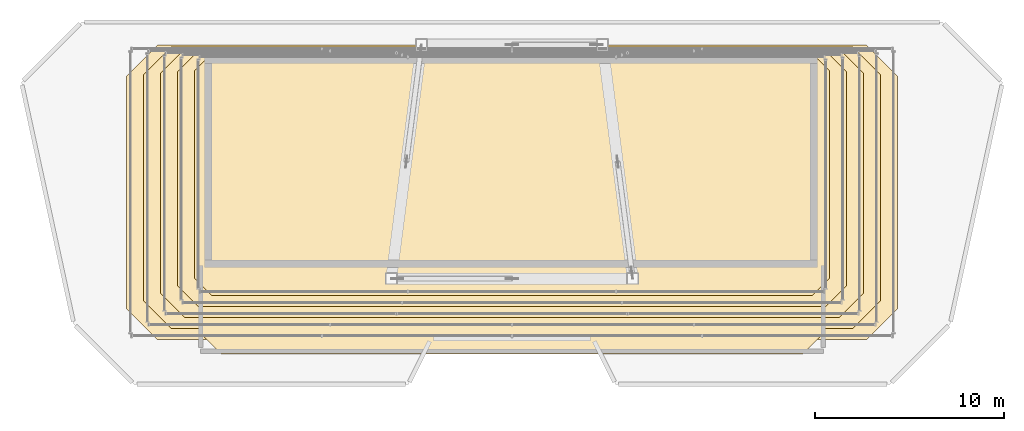
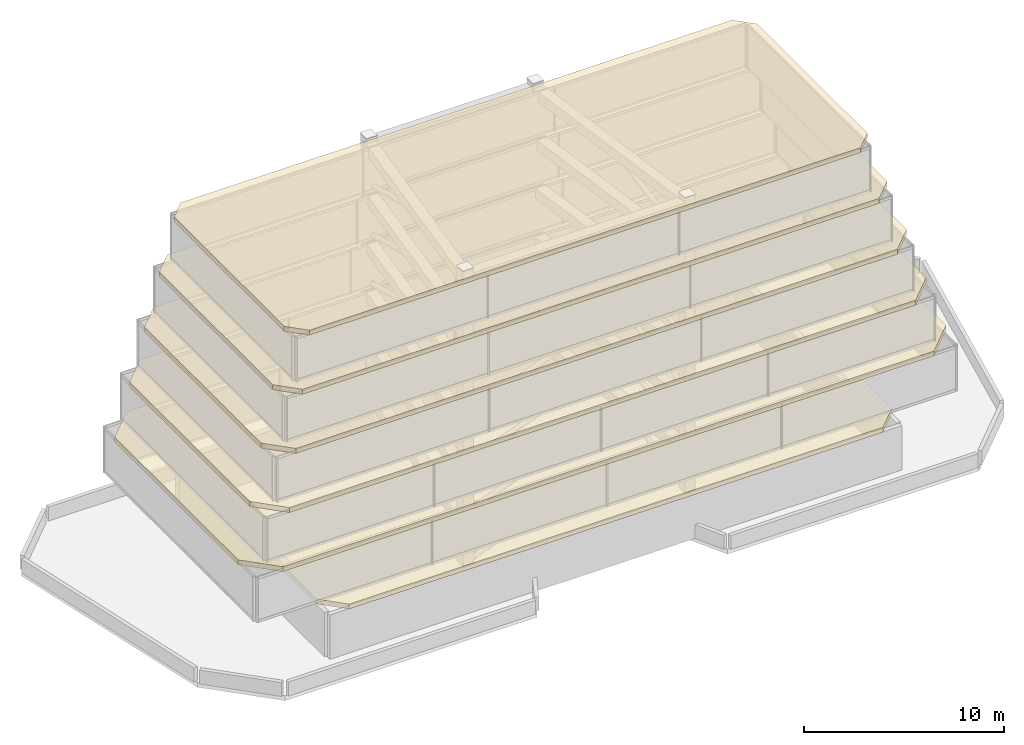
# One storey, part 29 of 29: 6 coverings.
"""IFC4 building model written with IfcOpenShell, lengths in metres."""

from ifc_helpers import new_model, si_unit, direction, frame, origin, place, context, subcontext, project, spatial, polyline, outline, extrude, material, layer, layer_set, type_object, element, save


model = new_model("IFC4")

# Units and contexts
model_context = context("Model", 3, precision=1e-05, world=origin(), true_north=direction((0.0, 1.0)))
body_context = subcontext(model_context, "Body", "Model", "MODEL_VIEW")
ifc_project = project(units=[si_unit("LENGTHUNIT", "METRE"), si_unit("AREAUNIT", "SQUARE_METRE"), si_unit("VOLUMEUNIT", "CUBIC_METRE"), si_unit("PLANEANGLEUNIT", "RADIAN"), si_unit("MASSUNIT", "GRAM", prefix="KILO")], contexts=[model_context])

# Site, building, storey
site_placement = place(None, origin())
site = spatial("IfcSite", under=ifc_project, at=site_placement, CompositionType="ELEMENT")
building_placement = place(site_placement, origin())
building = spatial("IfcBuilding", under=site, at=building_placement, Name="Saevonmaru Cultural Tower", CompositionType="ELEMENT")
storey_placement = place(building_placement, frame((0.0, 0.0, 327.60009765625)))
storey = spatial("IfcBuildingStorey", under=building, at=storey_placement, Name="RF", CompositionType="ELEMENT", Elevation=327.60009765625)

# Coverings
ifc_material = material(Name="Champagne Bronze Anodised Aluminium", Category="aluminium")
ifc_layer = layer(ifc_material, 0.300048828125, Name="Champagne Bronze Anodised Aluminium")
ifc_layer_set = layer_set([ifc_layer], Name="Champagne Bronze Anodised Aluminium")
covering_type = type_object("IfcCoveringType", Name="CV-CROWN-CAP-300", PredefinedType="CLADDING", material=ifc_layer_set)
covering_1_placement = place(storey_placement, frame((0.0, 0.0, 2.699951171875)))
element("IfcCovering", 1, at=covering_1_placement, inside=storey, type_object=covering_type, Name="RF Art Deco Ziggurat Crown Tier 1 Closed Cap Deck", PredefinedType="CLADDING", context=body_context, shape_type="SweptSolid", body=[
    extrude(outline(polyline([(13.39990234375, 39.60009765625), (14.60009765625, 38.39990234375), (45.39990234375, 38.39990234375), (46.60009765625, 39.60009765625), (46.60009765625, 53.199951171875), (45.39990234375, 54.39990234375), (14.60009765625, 54.39990234375), (13.39990234375, 53.199951171875), (13.39990234375, 39.60009765625)])), origin(), (0.0, 0.0, 1.0), 0.300048828125),
])
covering_2_placement = place(storey_placement, frame((0.0, 0.0, 5.699951171875)))
element("IfcCovering", 2, at=covering_2_placement, inside=storey, type_object=covering_type, Name="RF Art Deco Ziggurat Crown Tier 2 Closed Cap Deck", PredefinedType="CLADDING", context=body_context, shape_type="SweptSolid", body=[
    extrude(outline(polyline([(9.572998046875, 40.81005859375), (11.212890625, 39.169921875), (48.787109375, 39.169921875), (50.427001953125, 40.81005859375), (50.427001953125, 53.14404296875), (48.787109375, 54.783935546875), (11.212890625, 54.783935546875), (9.572998046875, 53.14404296875), (9.572998046875, 40.81005859375)])), origin(), (0.0, 0.0, 1.0), 0.300048828125),
])
covering_3_placement = place(storey_placement, frame((0.0, 0.0, 8.699951171875)))
element("IfcCovering", 3, at=covering_3_placement, inside=storey, type_object=covering_type, Name="RF Art Deco Ziggurat Crown Tier 3 Closed Cap Deck", PredefinedType="CLADDING", context=body_context, shape_type="SweptSolid", body=[
    extrude(outline(polyline([(10.472900390625, 41.215087890625), (11.93310546875, 39.7548828125), (48.06689453125, 39.7548828125), (49.527099609375, 41.215087890625), (49.527099609375, 53.216064453125), (48.06689453125, 54.676025390625), (11.93310546875, 54.676025390625), (10.472900390625, 53.216064453125), (10.472900390625, 41.215087890625)])), origin(), (0.0, 0.0, 1.0), 0.300048828125),
])
covering_4_placement = place(storey_placement, frame((0.0, 0.0, 11.699951171875)))
element("IfcCovering", 4, at=covering_4_placement, inside=storey, type_object=covering_type, Name="RF Art Deco Ziggurat Crown Tier 4 Closed Cap Deck", PredefinedType="CLADDING", context=body_context, shape_type="SweptSolid", body=[
    extrude(outline(polyline([(11.373046875, 41.6201171875), (12.653076171875, 40.340087890625), (47.346923828125, 40.340087890625), (48.626953125, 41.6201171875), (48.626953125, 53.2880859375), (47.346923828125, 54.568115234375), (12.653076171875, 54.568115234375), (11.373046875, 53.2880859375), (11.373046875, 41.6201171875)])), origin(), (0.0, 0.0, 1.0), 0.300048828125),
])
covering_5_placement = place(storey_placement, frame((0.0, 0.0, 14.699951171875)))
element("IfcCovering", 5, at=covering_5_placement, inside=storey, type_object=covering_type, Name="RF Art Deco Ziggurat Crown Tier 5 Closed Cap Deck", PredefinedType="CLADDING", context=body_context, shape_type="SweptSolid", body=[
    extrude(outline(polyline([(12.27294921875, 42.02490234375), (13.373046875, 40.925048828125), (46.626953125, 40.925048828125), (47.72705078125, 42.02490234375), (47.72705078125, 53.360107421875), (46.626953125, 54.4599609375), (13.373046875, 54.4599609375), (12.27294921875, 53.360107421875), (12.27294921875, 42.02490234375)])), origin(), (0.0, 0.0, 1.0), 0.300048828125),
])
covering_6_placement = place(storey_placement, frame((0.0, 0.0, 17.699951171875)))
element("IfcCovering", 6, at=covering_6_placement, inside=storey, type_object=covering_type, Name="RF Art Deco Ziggurat Crown Tier 6 Closed Cap Deck", PredefinedType="CLADDING", context=body_context, shape_type="SweptSolid", body=[
    extrude(outline(polyline([(13.173095703125, 42.429931640625), (14.093017578125, 41.510009765625), (45.906982421875, 41.510009765625), (46.826904296875, 42.429931640625), (46.826904296875, 53.431884765625), (45.906982421875, 54.35205078125), (14.093017578125, 54.35205078125), (13.173095703125, 53.431884765625), (13.173095703125, 42.429931640625)])), origin(), (0.0, 0.0, 1.0), 0.300048828125),
])

save(model, "model.ifc")
